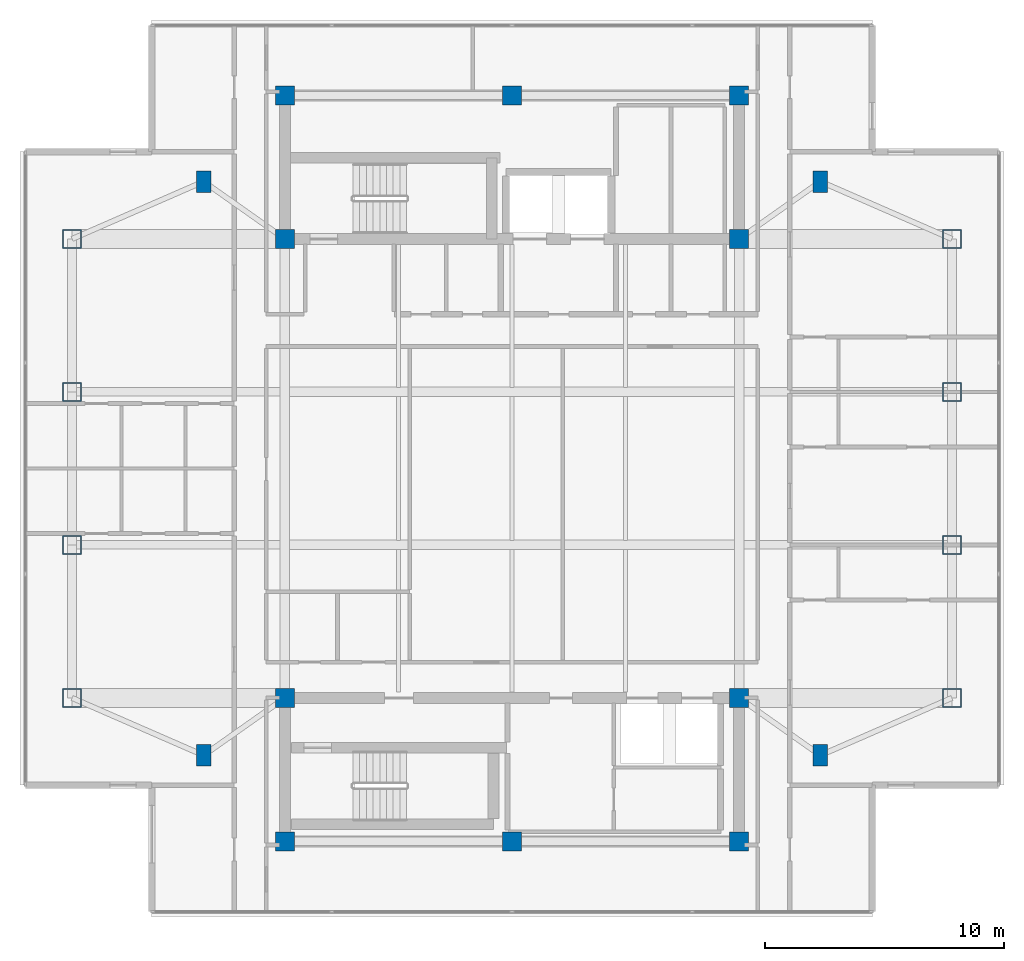
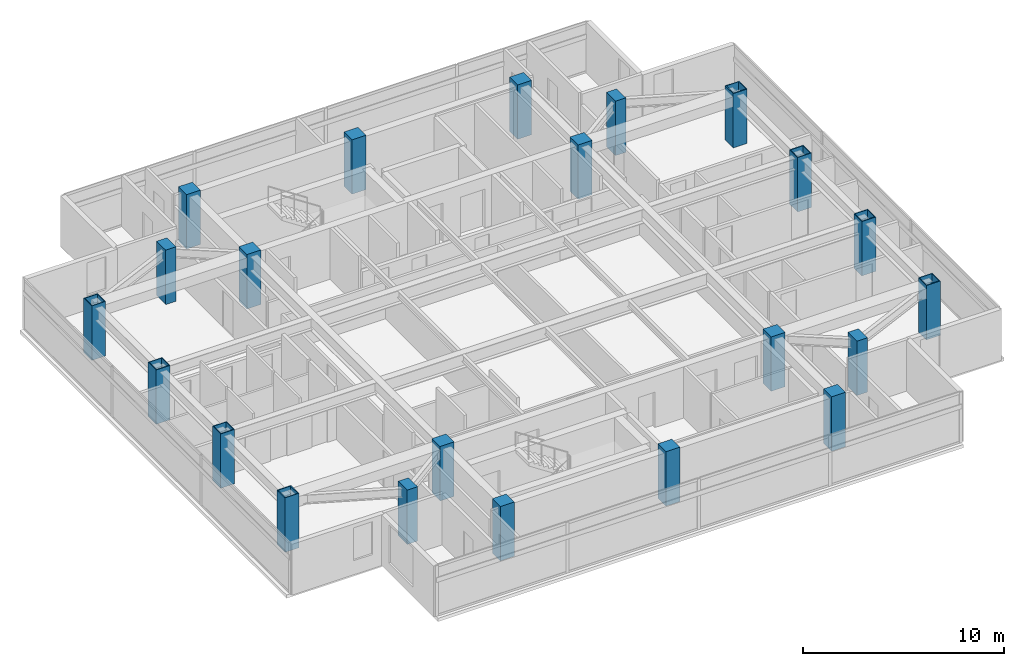
# One storey, part 1 of 12: 22 columns.
"""IFC4 building model written with IfcOpenShell, lengths in metres."""

from ifc_helpers import new_model, si_unit, direction, frame, origin, origin_2d, place, context, subcontext, project, spatial, rectangle, hollow_rectangle, extrude, material, material_profile, profile_set, type_object, element, save


model = new_model("IFC4")

# Units and contexts
model_context = context("Model", 3, precision=1e-05, world=origin(), true_north=direction((0.0, 1.0)))
body_context = subcontext(model_context, "Body", "Model", "MODEL_VIEW")
ifc_project = project(units=[si_unit("LENGTHUNIT", "METRE"), si_unit("AREAUNIT", "SQUARE_METRE"), si_unit("VOLUMEUNIT", "CUBIC_METRE"), si_unit("PLANEANGLEUNIT", "RADIAN"), si_unit("MASSUNIT", "GRAM", prefix="KILO")], contexts=[model_context])

# Site, building, storey
site_placement = place(None, origin())
site = spatial("IfcSite", under=ifc_project, at=site_placement, CompositionType="ELEMENT")
building_placement = place(site_placement, origin())
building = spatial("IfcBuilding", under=site, at=building_placement, Name="Mirazonda Arch Towers", CompositionType="ELEMENT")
storey_placement = place(building_placement, frame((0.0, 0.0, 222.699951171875)))
storey = spatial("IfcBuildingStorey", under=building, at=storey_placement, Name="L63", CompositionType="ELEMENT", Elevation=222.699951171875)

# Columns
ifc_material_1 = material(Name="Concrete C50/60", Category="concrete")
ifc_material_profile_1 = material_profile(ifc_material_1, rectangle(XDim=0.800048828125, YDim=0.800048828125, at=origin_2d()), Name="RC800x800")
ifc_profile_set_1 = profile_set([ifc_material_profile_1], Name="Concrete C50/60")
column_type_1 = type_object("IfcColumnType", Name="COL-INT-RC800x800", PredefinedType="COLUMN", material=ifc_profile_set_1)
for number, where, z_axis, x_axis, name in (
    (1, (11.0, 12.39990234375, 0.0), (0.0, 0.0, 1.0), (1.0, 0.0, 0.0), "L63 T1 Core Column 01"),
    (2, (20.5, 12.39990234375, 0.0), (0.0, 0.0, 1.0), (1.0, 0.0, 0.0), "L63 T1 Core Column 02"),
    (3, (30.0, 12.39990234375, 0.0), (0.0, 0.0, 1.0), (1.0, 0.0, 0.0), "L63 T1 Core Column 03"),
    (4, (11.0, 18.39990234375, 0.0), (0.0, 0.0, 1.0), (1.0, 0.0, 0.0), "L63 T1 Core Column 04"),
    (5, (30.0, 18.39990234375, 0.0), (0.0, 0.0, 1.0), (1.0, 0.0, 0.0), "L63 T1 Core Column 05"),
    (6, (11.0, 37.60009765625, 0.0), (0.0, 0.0, 1.0), (1.0, 0.0, 0.0), "L63 T1 Core Column 06"),
    (7, (30.0, 37.60009765625, 0.0), (0.0, 0.0, 1.0), (1.0, 0.0, 0.0), "L63 T1 Core Column 07"),
    (8, (11.0, 43.60009765625, 0.0), (0.0, 0.0, 1.0), (1.0, 0.0, 0.0), "L63 T1 Core Column 08"),
    (9, (20.5, 43.60009765625, 0.0), (0.0, 0.0, 1.0), (1.0, 0.0, 0.0), "L63 T1 Core Column 09"),
    (10, (30.0, 43.60009765625, 0.0), (0.0, 0.0, 1.0), (1.0, 0.0, 0.0), "L63 T1 Core Column 10"),
):
    element("IfcColumn", number, at=place(storey_placement, frame(where, z_axis=z_axis, x_axis=x_axis)), inside=storey, type_object=column_type_1, Name=name, PredefinedType="COLUMN", context=body_context, shape_type="SweptSolid", body=[
        extrude(rectangle(XDim=0.800048828125, YDim=0.800048828125, at=origin_2d()), origin(), (0.0, 0.0, 1.0), 3.300048828125),
    ])
ifc_material_2 = material(Name="Steel ASTM A572 Grade 50", Category="steel")
ifc_material_profile_2 = material_profile(ifc_material_2, hollow_rectangle(XDim=0.800048828125, YDim=0.800048828125, WallThickness=0.044921875, at=origin_2d()), Name="BOX800x800x45")
ifc_profile_set_2 = profile_set([ifc_material_profile_2], Name="Steel ASTM A572 Grade 50")
column_type_2 = type_object("IfcColumnType", Name="MCOL-EXT-BOX800x800x45", PredefinedType="COLUMN", material=ifc_profile_set_2)
for number, where, z_axis, x_axis, name in (
    (11, (2.10009765625, 18.39990234375, 0.0), (0.0, 0.0, 1.0), (1.0, 0.0, 0.0), "L63 T1 Composite Mega-Column 01"),
    (12, (2.10009765625, 24.800048828125, 0.0), (0.0, 0.0, 1.0), (1.0, 0.0, 0.0), "L63 T1 Composite Mega-Column 02"),
    (13, (2.10009765625, 31.199951171875, 0.0), (0.0, 0.0, 1.0), (1.0, 0.0, 0.0), "L63 T1 Composite Mega-Column 03"),
    (14, (2.10009765625, 37.60009765625, 0.0), (0.0, 0.0, 1.0), (1.0, 0.0, 0.0), "L63 T1 Composite Mega-Column 04"),
    (15, (38.89990234375, 18.39990234375, 0.0), (0.0, 0.0, 1.0), (1.0, 0.0, 0.0), "L63 T1 Composite Mega-Column 05"),
    (16, (38.89990234375, 24.800048828125, 0.0), (0.0, 0.0, 1.0), (1.0, 0.0, 0.0), "L63 T1 Composite Mega-Column 06"),
    (17, (38.89990234375, 31.199951171875, 0.0), (0.0, 0.0, 1.0), (1.0, 0.0, 0.0), "L63 T1 Composite Mega-Column 07"),
    (18, (38.89990234375, 37.60009765625, 0.0), (0.0, 0.0, 1.0), (1.0, 0.0, 0.0), "L63 T1 Composite Mega-Column 08"),
):
    element("IfcColumn", number, at=place(storey_placement, frame(where, z_axis=z_axis, x_axis=x_axis)), inside=storey, type_object=column_type_2, Name=name, PredefinedType="COLUMN", context=body_context, shape_type="SweptSolid", body=[
        extrude(hollow_rectangle(XDim=0.800048828125, YDim=0.800048828125, WallThickness=0.044921875, at=origin_2d()), origin(), (0.0, 0.0, 1.0), 3.300048828125),
    ])
ifc_material_profile_3 = material_profile(ifc_material_1, rectangle(XDim=0.60009765625, YDim=0.89990234375, at=origin_2d()), Name="RC900x600")
ifc_profile_set_3 = profile_set([ifc_material_profile_3], Name="Concrete C50/60")
column_type_3 = type_object("IfcColumnType", Name="PIL-EXT-RC900x600", PredefinedType="PILASTER", material=ifc_profile_set_3)
for number, where, z_axis, x_axis, name in (
    (19, (7.60009765625, 16.0, 0.0), (0.0, 0.0, 1.0), (1.0, 0.0, 0.0), "L63 T1 Corner Pilaster 01"),
    (20, (33.39990234375, 16.0, 0.0), (0.0, 0.0, 1.0), (1.0, 0.0, 0.0), "L63 T1 Corner Pilaster 02"),
    (21, (7.60009765625, 40.0, 0.0), (0.0, 0.0, 1.0), (1.0, 0.0, 0.0), "L63 T1 Corner Pilaster 03"),
    (22, (33.39990234375, 40.0, 0.0), (0.0, 0.0, 1.0), (1.0, 0.0, 0.0), "L63 T1 Corner Pilaster 04"),
):
    element("IfcColumn", number, at=place(storey_placement, frame(where, z_axis=z_axis, x_axis=x_axis)), inside=storey, type_object=column_type_3, Name=name, PredefinedType="PILASTER", context=body_context, shape_type="SweptSolid", body=[
        extrude(rectangle(XDim=0.60009765625, YDim=0.89990234375, at=origin_2d()), origin(), (0.0, 0.0, 1.0), 3.300048828125),
    ])

save(model, "model.ifc")
